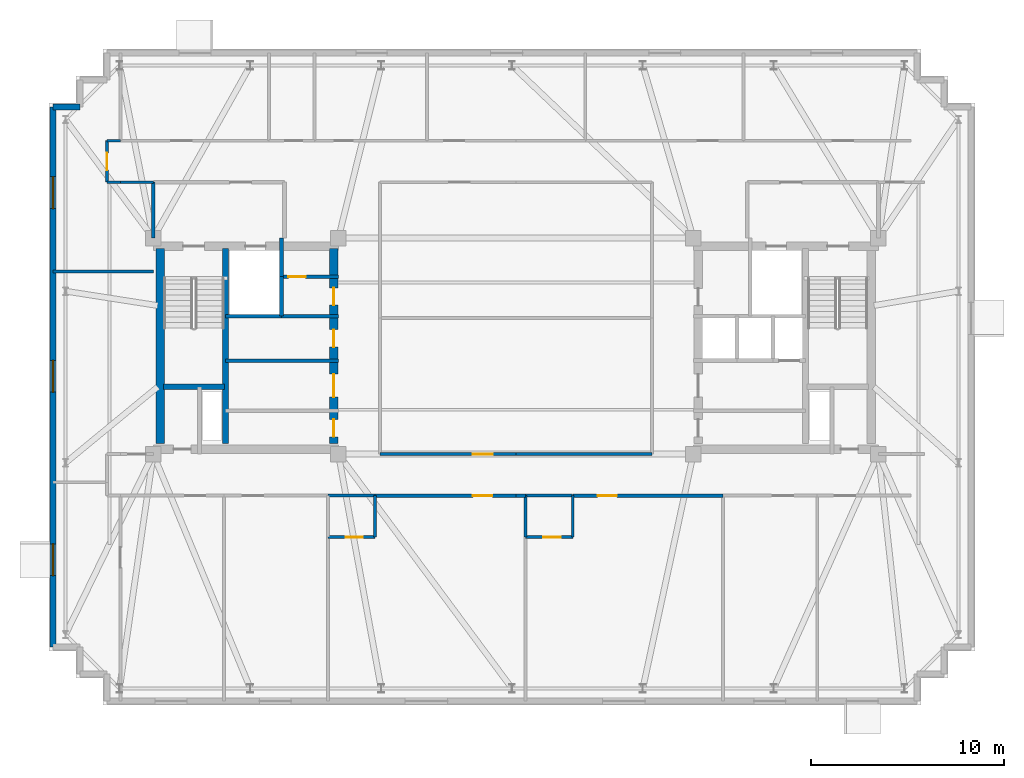
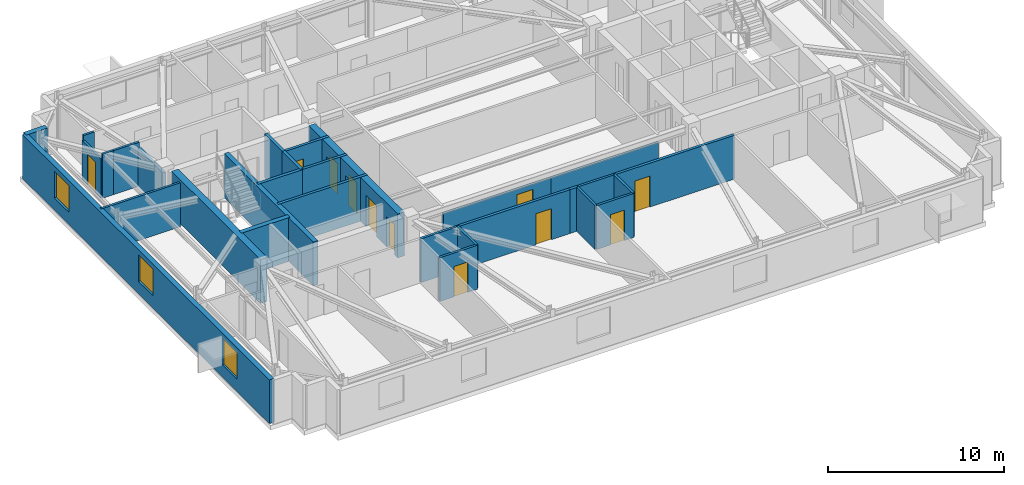
# One storey, part 6 of 11: 30 walls, 11 doors, 3 windows, 14 openings.
"""IFC4 building model written with IfcOpenShell, lengths in metres."""

from ifc_helpers import new_model, si_unit, direction, frame, frame_2d, origin, place, context, subcontext, project, spatial, rectangle, extrude, material, layer, layer_set, type_object, element, fill, save


model = new_model("IFC4")

# Units and contexts
model_context = context("Model", 3, precision=1e-05, world=origin(), true_north=direction((0.0, 1.0)))
body_context = subcontext(model_context, "Body", "Model", "MODEL_VIEW")
ifc_project = project(units=[si_unit("LENGTHUNIT", "METRE"), si_unit("AREAUNIT", "SQUARE_METRE"), si_unit("VOLUMEUNIT", "CUBIC_METRE"), si_unit("PLANEANGLEUNIT", "RADIAN"), si_unit("MASSUNIT", "GRAM", prefix="KILO")], contexts=[model_context])

# Site, building, storey
site_placement = place(None, origin())
site = spatial("IfcSite", under=ifc_project, at=site_placement, CompositionType="ELEMENT")
building_placement = place(site_placement, origin())
building = spatial("IfcBuilding", under=site, at=building_placement, Name="Qobustan Lattice House", CompositionType="ELEMENT")
storey_placement = place(building_placement, frame((0.0, 0.0, 251.75)))
storey = spatial("IfcBuildingStorey", under=building, at=storey_placement, Name="L71", CompositionType="ELEMENT", Elevation=251.75)

# Wall
ifc_material_1 = material(Name="Concrete C50/60", Category="concrete")
ifc_layer_1 = layer(ifc_material_1, 0.43994140625)
ifc_layer_set_1 = layer_set([ifc_layer_1], Name="Concrete C50/60")
wall_type_1 = type_object("IfcWallType", Name="WAL-CORE-440", PredefinedType="SHEAR", material=ifc_layer_set_1)
wall_1_placement = place(storey_placement, frame((-18.429931640625, -5.050048828125, 0.0), z_axis=(0.0, 0.0, 1.0), x_axis=(0.0, 1.0, 0.0)))
element("IfcWall", 1, at=wall_1_placement, inside=storey, type_object=wall_type_1, Name="L71 split-core shear wall CW-W", PredefinedType="SHEAR", context=body_context, shape_type="SweptSolid", body=[
    extrude(rectangle(XDim=10.10009765625, YDim=0.43994140625, at=frame_2d((5.050048828125, 0.0))), origin(), (0.0, 0.0, 1.0), 3.0400390625),
])

# Wall, openings, doors
wall_2_placement = place(storey_placement, frame((-9.449951171875, -5.050048828125, 0.0), z_axis=(0.0, 0.0, 1.0), x_axis=(0.0, 1.0, 0.0)))
wall_2 = element("IfcWall", 2, at=wall_2_placement, inside=storey, type_object=wall_type_1, Name="L71 split-core shear wall CW-E", PredefinedType="SHEAR", context=body_context, shape_type="SweptSolid", body=[
    extrude(rectangle(XDim=10.10009765625, YDim=0.43994140625, at=frame_2d((5.050048828125, 0.0))), origin(), (0.0, 0.0, 1.0), 3.0400390625),
])
opening_1_placement = place(wall_2_placement, frame((7.175048828125, 0.0, 0.0)))
opening_1 = element("IfcOpeningElement", 3, at=opening_1_placement, cuts=wall_2, Name="Opening RD-01", PredefinedType="OPENING", context=body_context, shape_type="SweptSolid", body=[
    extrude(rectangle(XDim=0.89990234375, YDim=2.10009765625, at=frame_2d((0.449951171875, 1.050048828125))), frame((0.0, 0.22998046875, 0.0), z_axis=(0.0, -1.0, 0.0), x_axis=(1.0, 0.0, 0.0)), (0.0, 0.0, 1.0), 0.4599609375),
])
opening_2_placement = place(wall_2_placement, frame((2.39990234375, 0.0, 0.0)))
opening_2 = element("IfcOpeningElement", 4, at=opening_2_placement, cuts=wall_2, Name="Opening FD-01", PredefinedType="OPENING", context=body_context, shape_type="SweptSolid", body=[
    extrude(rectangle(XDim=1.199951171875, YDim=2.14990234375, at=frame_2d((0.60009765625, 1.074951171875))), frame((0.0, 0.22998046875, 0.0), z_axis=(0.0, -1.0, 0.0), x_axis=(1.0, 0.0, 0.0)), (0.0, 0.0, 1.0), 0.4599609375),
])
opening_3_placement = place(wall_2_placement, frame((0.35009765625, 0.0, 0.0)))
opening_3 = element("IfcOpeningElement", 5, at=opening_3_placement, cuts=wall_2, Name="Opening RD-01", PredefinedType="OPENING", context=body_context, shape_type="SweptSolid", body=[
    extrude(rectangle(XDim=0.89990234375, YDim=2.10009765625, at=frame_2d((0.449951171875, 1.050048828125))), frame((0.0, 0.22998046875, 0.0), z_axis=(0.0, -1.0, 0.0), x_axis=(1.0, 0.0, 0.0)), (0.0, 0.0, 1.0), 0.4599609375),
])
opening_4_placement = place(wall_2_placement, frame((5.0, 0.0, 0.0)))
opening_4 = element("IfcOpeningElement", 6, at=opening_4_placement, cuts=wall_2, Name="Opening RD-01", PredefinedType="OPENING", context=body_context, shape_type="SweptSolid", body=[
    extrude(rectangle(XDim=0.89990234375, YDim=2.10009765625, at=frame_2d((0.449951171875, 1.050048828125))), frame((0.0, 0.22998046875, 0.0), z_axis=(0.0, -1.0, 0.0), x_axis=(1.0, 0.0, 0.0)), (0.0, 0.0, 1.0), 0.4599609375),
])
ifc_material_2 = material(Name="Persian walnut timber and steel frame door", Category="steel")
door_type_1 = type_object("IfcDoorType", Name="DOR-LOBBY-FD-1200x2150", OperationType="NOTDEFINED", PredefinedType="DOOR", material=ifc_material_2)
door_1_placement = place(opening_2_placement, origin())
door_1 = element("IfcDoor", 7, at=door_1_placement, inside=storey, type_object=door_type_1, Name="L71 West core foyer fire door", OperationType="SINGLE_SWING_LEFT", OverallHeight=2.14990234375, OverallWidth=1.199951171875, PredefinedType="DOOR", context=body_context, shape_type="SweptSolid", body=[
    extrude(rectangle(XDim=1.199951171875, YDim=2.14990234375, at=frame_2d((0.60009765625, 1.074951171875))), frame((0.0, 0.02490234375, 0.0), z_axis=(0.0, -1.0, 0.0), x_axis=(1.0, 0.0, 0.0)), (0.0, 0.0, 1.0), 0.050048828125),
])
fill(opening_2, door_1)
ifc_material_3 = material(Name="Persian walnut timber and steel frame door", Category="steel")
door_type_2 = type_object("IfcDoorType", Name="DOR-RISER-FD-900x2100", OperationType="NOTDEFINED", PredefinedType="DOOR", material=ifc_material_3)
door_2_placement = place(opening_1_placement, origin())
door_2 = element("IfcDoor", 8, at=door_2_placement, inside=storey, type_object=door_type_2, Name="L71 Core utility lobby fire door", OperationType="SINGLE_SWING_RIGHT", OverallHeight=2.10009765625, OverallWidth=0.89990234375, PredefinedType="DOOR", context=body_context, shape_type="SweptSolid", body=[
    extrude(rectangle(XDim=0.89990234375, YDim=2.10009765625, at=frame_2d((0.449951171875, 1.050048828125))), frame((0.0, 0.02490234375, 0.0), z_axis=(0.0, -1.0, 0.0), x_axis=(1.0, 0.0, 0.0)), (0.0, 0.0, 1.0), 0.050048828125),
])
fill(opening_1, door_2)
door_3_placement = place(opening_3_placement, origin())
door_3 = element("IfcDoor", 9, at=door_3_placement, inside=storey, type_object=door_type_2, Name="L71 Quiet study alcove fire door", OperationType="SINGLE_SWING_RIGHT", OverallHeight=2.10009765625, OverallWidth=0.89990234375, PredefinedType="DOOR", context=body_context, shape_type="SweptSolid", body=[
    extrude(rectangle(XDim=0.89990234375, YDim=2.10009765625, at=frame_2d((0.449951171875, 1.050048828125))), frame((0.0, 0.02490234375, 0.0), z_axis=(0.0, -1.0, 0.0), x_axis=(1.0, 0.0, 0.0)), (0.0, 0.0, 1.0), 0.050048828125),
])
fill(opening_3, door_3)
door_4_placement = place(opening_4_placement, origin())
door_4 = element("IfcDoor", 10, at=door_4_placement, inside=storey, type_object=door_type_2, Name="L71 Resident reading pod fire door", OperationType="SINGLE_SWING_LEFT", OverallHeight=2.10009765625, OverallWidth=0.89990234375, PredefinedType="DOOR", context=body_context, shape_type="SweptSolid", body=[
    extrude(rectangle(XDim=0.89990234375, YDim=2.10009765625, at=frame_2d((0.449951171875, 1.050048828125))), frame((0.0, 0.02490234375, 0.0), z_axis=(0.0, -1.0, 0.0), x_axis=(1.0, 0.0, 0.0)), (0.0, 0.0, 1.0), 0.050048828125),
])
fill(opening_4, door_4)

# Walls
ifc_material_4 = material(Name="Concrete C50/60", Category="concrete")
ifc_layer_2 = layer(ifc_material_4, 0.280029296875)
ifc_layer_set_2 = layer_set([ifc_layer_2], Name="Concrete C50/60")
wall_type_2 = type_object("IfcWallType", Name="WAL-CORE-SPINE-280", PredefinedType="SHEAR", material=ifc_layer_set_2)
wall_3_placement = place(storey_placement, frame((-15.050048828125, -5.050048828125, 0.0), z_axis=(0.0, 0.0, 1.0), x_axis=(0.0, 1.0, 0.0)))
element("IfcWall", 11, at=wall_3_placement, inside=storey, type_object=wall_type_2, Name="L71 split-core shear wall CW-M", PredefinedType="SHEAR", context=body_context, shape_type="SweptSolid", body=[
    extrude(rectangle(XDim=10.10009765625, YDim=0.300048828125, at=frame_2d((5.050048828125, 0.0))), origin(), (0.0, 0.0, 1.0), 3.0400390625),
])
wall_4_placement = place(storey_placement, frame((-18.280029296875, -2.110107421875, 0.0), z_axis=(0.0, 0.0, 1.0), x_axis=(1.0, 0.0, 0.0)))
element("IfcWall", 12, at=wall_4_placement, inside=storey, type_object=wall_type_2, Name="L71 split-core shear wall CW-ST", PredefinedType="SHEAR", context=body_context, shape_type="SweptSolid", body=[
    extrude(rectangle(XDim=3.179931640625, YDim=0.300048828125, at=frame_2d((1.58984375, 0.0))), origin(), (0.0, 0.0, 1.0), 3.0400390625),
])

# Wall, openings, windows
ifc_material_5 = material(Name="Precast concrete C40/50", Category="concrete")
ifc_layer_3 = layer(ifc_material_5, 0.320068359375)
ifc_layer_set_3 = layer_set([ifc_layer_3], Name="Precast concrete C40/50")
wall_type_3 = type_object("IfcWallType", Name="WAL-EXT-STONE-320", PredefinedType="SOLIDWALL", material=ifc_layer_set_3)
wall_5_placement = place(storey_placement, frame((-24.0, -15.60009765625, 0.0), z_axis=(0.0, 0.0, 1.0), x_axis=(0.0, 1.0, 0.0)))
wall_5 = element("IfcWall", 13, at=wall_5_placement, inside=storey, type_object=wall_type_3, Name="L71 exterior limestone-clad wall 5", PredefinedType="SOLIDWALL", context=body_context, shape_type="SweptSolid", body=[
    extrude(rectangle(XDim=28.0, YDim=0.320068359375, at=frame_2d((14.0, 0.0))), origin(), (0.0, 0.0, 1.0), 3.0400390625),
])
opening_5_placement = place(wall_5_placement, frame((3.695068359375, 0.0, 0.85009765625)))
opening_5 = element("IfcOpeningElement", 14, at=opening_5_placement, cuts=wall_5, Name="Opening WN-09", PredefinedType="OPENING", context=body_context, shape_type="SweptSolid", body=[
    extrude(rectangle(XDim=1.64990234375, YDim=1.85009765625, at=frame_2d((0.824951171875, 0.925048828125))), frame((0.0, 0.169921875, 0.0), z_axis=(0.0, -1.0, 0.0), x_axis=(1.0, 0.0, 0.0)), (0.0, 0.0, 1.0), 0.340087890625),
])
opening_6_placement = place(wall_5_placement, frame((13.215087890625, 0.0, 0.85009765625)))
opening_6 = element("IfcOpeningElement", 15, at=opening_6_placement, cuts=wall_5, Name="Opening WN-09", PredefinedType="OPENING", context=body_context, shape_type="SweptSolid", body=[
    extrude(rectangle(XDim=1.64990234375, YDim=1.85009765625, at=frame_2d((0.824951171875, 0.925048828125))), frame((0.0, 0.169921875, 0.0), z_axis=(0.0, -1.0, 0.0), x_axis=(1.0, 0.0, 0.0)), (0.0, 0.0, 1.0), 0.340087890625),
])
opening_7_placement = place(wall_5_placement, frame((22.735107421875, 0.0, 0.85009765625)))
opening_7 = element("IfcOpeningElement", 16, at=opening_7_placement, cuts=wall_5, Name="Opening WN-09", PredefinedType="OPENING", context=body_context, shape_type="SweptSolid", body=[
    extrude(rectangle(XDim=1.64990234375, YDim=1.85009765625, at=frame_2d((0.824951171875, 0.925048828125))), frame((0.0, 0.169921875, 0.0), z_axis=(0.0, -1.0, 0.0), x_axis=(1.0, 0.0, 0.0)), (0.0, 0.0, 1.0), 0.340087890625),
])
ifc_material_6 = material(Name="Double-glazed low-E aluminium window", Category="aluminium")
window_type = type_object("IfcWindowType", Name="WIN-STU-1650x1850", PartitioningType="SINGLE_PANEL", PredefinedType="WINDOW", material=ifc_material_6)
window_1_placement = place(opening_5_placement, origin())
window_1 = element("IfcWindow", 17, at=window_1_placement, inside=storey, type_object=window_type, Name="L71 Focus study room W1 window", OverallHeight=1.85009765625, OverallWidth=1.64990234375, PartitioningType="SINGLE_PANEL", PredefinedType="WINDOW", context=body_context, shape_type="SweptSolid", body=[
    extrude(rectangle(XDim=1.64990234375, YDim=1.85009765625, at=frame_2d((0.824951171875, 0.925048828125))), frame((0.0, 0.030029296875, 0.0), z_axis=(0.0, -1.0, 0.0), x_axis=(1.0, 0.0, 0.0)), (0.0, 0.0, 1.0), 0.06005859375),
])
fill(opening_5, window_1)
window_2_placement = place(opening_6_placement, origin())
window_2 = element("IfcWindow", 18, at=window_2_placement, inside=storey, type_object=window_type, Name="L71 Focus study room W2 window", OverallHeight=1.85009765625, OverallWidth=1.64990234375, PartitioningType="SINGLE_PANEL", PredefinedType="WINDOW", context=body_context, shape_type="SweptSolid", body=[
    extrude(rectangle(XDim=1.64990234375, YDim=1.85009765625, at=frame_2d((0.824951171875, 0.925048828125))), frame((0.0, 0.030029296875, 0.0), z_axis=(0.0, -1.0, 0.0), x_axis=(1.0, 0.0, 0.0)), (0.0, 0.0, 1.0), 0.06005859375),
])
fill(opening_6, window_2)
window_3_placement = place(opening_7_placement, origin())
window_3 = element("IfcWindow", 19, at=window_3_placement, inside=storey, type_object=window_type, Name="L71 Focus study room W3 window", OverallHeight=1.85009765625, OverallWidth=1.64990234375, PartitioningType="SINGLE_PANEL", PredefinedType="WINDOW", context=body_context, shape_type="SweptSolid", body=[
    extrude(rectangle(XDim=1.64990234375, YDim=1.85009765625, at=frame_2d((0.824951171875, 0.925048828125))), frame((0.0, 0.030029296875, 0.0), z_axis=(0.0, -1.0, 0.0), x_axis=(1.0, 0.0, 0.0)), (0.0, 0.0, 1.0), 0.06005859375),
])
fill(opening_7, window_3)

# Wall
wall_6_placement = place(storey_placement, frame((-24.0, 12.39990234375, 0.0), z_axis=(0.0, 0.0, 1.0), x_axis=(1.0, 0.0, 0.0)))
element("IfcWall", 20, at=wall_6_placement, inside=storey, type_object=wall_type_3, Name="L71 exterior limestone-clad wall 6", PredefinedType="SOLIDWALL", context=body_context, shape_type="SweptSolid", body=[
    extrude(rectangle(XDim=1.39990234375, YDim=0.320068359375, at=frame_2d((0.699951171875, 0.0))), origin(), (0.0, 0.0, 1.0), 3.0400390625),
])

# Wall, opening, door
ifc_material_7 = material(Name="Gypsum fireboard acoustic partition", Category="gypsum")
ifc_layer_4 = layer(ifc_material_7, 0.179931640625)
ifc_layer_set_4 = layer_set([ifc_layer_4], Name="Gypsum fireboard acoustic partition")
wall_type_4 = type_object("IfcWallType", Name="WAL-FIRE-180", PredefinedType="PARTITIONING", material=ifc_layer_set_4)
wall_7_placement = place(storey_placement, frame((-9.199951171875, 3.60009765625, 0.0), z_axis=(0.0, 0.0, 1.0), x_axis=(-1.0, 0.0, 0.0)))
wall_7 = element("IfcWall", 21, at=wall_7_placement, inside=storey, type_object=wall_type_4, Name="L71 interior partition 7", PredefinedType="PARTITIONING", context=body_context, shape_type="SweptSolid", body=[
    extrude(rectangle(XDim=2.949951171875, YDim=0.179931640625, at=frame_2d((1.47509765625, 0.0))), origin(), (0.0, 0.0, 1.0), 3.0400390625),
])
opening_8_placement = place(wall_7_placement, frame((1.699951171875, 0.0, 0.0)))
opening_8 = element("IfcOpeningElement", 22, at=opening_8_placement, cuts=wall_7, Name="Opening RD-01", PredefinedType="OPENING", context=body_context, shape_type="SweptSolid", body=[
    extrude(rectangle(XDim=0.89990234375, YDim=2.10009765625, at=frame_2d((0.449951171875, 1.050048828125))), frame((0.0, 0.099853515625, 0.0), z_axis=(0.0, -1.0, 0.0), x_axis=(1.0, 0.0, 0.0)), (0.0, 0.0, 1.0), 0.199951171875),
])
door_5_placement = place(opening_8_placement, origin())
door_5 = element("IfcDoor", 23, at=door_5_placement, inside=storey, type_object=door_type_2, Name="L71 Core utility lobby to Cleaner store door", OperationType="SINGLE_SWING_LEFT", OverallHeight=2.10009765625, OverallWidth=0.89990234375, PredefinedType="DOOR", context=body_context, shape_type="SweptSolid", body=[
    extrude(rectangle(XDim=0.89990234375, YDim=2.10009765625, at=frame_2d((0.449951171875, 1.050048828125))), frame((0.0, 0.02490234375, 0.0), z_axis=(0.0, -1.0, 0.0), x_axis=(1.0, 0.0, 0.0)), (0.0, 0.0, 1.0), 0.050048828125),
])
fill(opening_8, door_5)

# Walls
wall_8_placement = place(storey_placement, frame((-12.14990234375, 1.550048828125, 0.0), z_axis=(0.0, 0.0, 1.0), x_axis=(1.0, 0.0, 0.0)))
element("IfcWall", 24, at=wall_8_placement, inside=storey, type_object=wall_type_4, Name="L71 interior partition 8", PredefinedType="PARTITIONING", context=body_context, shape_type="SweptSolid", body=[
    extrude(rectangle(XDim=2.949951171875, YDim=0.179931640625, at=frame_2d((1.47509765625, 0.0))), origin(), (0.0, 0.0, 1.0), 3.0400390625),
])
wall_9_placement = place(storey_placement, frame((-9.199951171875, -0.75, 0.0), z_axis=(0.0, 0.0, 1.0), x_axis=(-1.0, 0.0, 0.0)))
element("IfcWall", 25, at=wall_9_placement, inside=storey, type_object=wall_type_4, Name="L71 interior partition 11", PredefinedType="PARTITIONING", context=body_context, shape_type="SweptSolid", body=[
    extrude(rectangle(XDim=5.85009765625, YDim=0.179931640625, at=frame_2d((2.925048828125, 0.0))), origin(), (0.0, 0.0, 1.0), 3.0400390625),
])

# Wall, opening, door
wall_10_placement = place(storey_placement, frame((0.0, -7.75, 0.0), z_axis=(0.0, 0.0, 1.0), x_axis=(-1.0, 0.0, 0.0)))
wall_10 = element("IfcWall", 26, at=wall_10_placement, inside=storey, type_object=wall_type_4, Name="L71 interior partition 51", PredefinedType="PARTITIONING", context=body_context, shape_type="SweptSolid", body=[
    extrude(rectangle(XDim=7.300048828125, YDim=0.179931640625, at=frame_2d((3.64990234375, 0.0))), origin(), (0.0, 0.0, 1.0), 3.0400390625),
])
opening_9_placement = place(wall_10_placement, frame((1.222412109375, 0.0, 0.0)))
opening_9 = element("IfcOpeningElement", 27, at=opening_9_placement, cuts=wall_10, Name="Opening FD-02", PredefinedType="OPENING", context=body_context, shape_type="SweptSolid", body=[
    extrude(rectangle(XDim=1.0, YDim=2.14990234375, at=frame_2d((0.5, 1.074951171875))), frame((0.0, 0.099853515625, 0.0), z_axis=(0.0, -1.0, 0.0), x_axis=(1.0, 0.0, 0.0)), (0.0, 0.0, 1.0), 0.199951171875),
])
ifc_material_8 = material(Name="Persian walnut timber and steel frame door", Category="steel")
door_type_3 = type_object("IfcDoorType", Name="DOR-UNIT-FD-1000x2150", OperationType="NOTDEFINED", PredefinedType="DOOR", material=ifc_material_8)
door_6_placement = place(opening_9_placement, origin())
door_6 = element("IfcDoor", 28, at=door_6_placement, inside=storey, type_object=door_type_3, Name="L71 South-west floor corridor to Kitchenette and studio apartment L71-S2 door", OperationType="SINGLE_SWING_RIGHT", OverallHeight=2.14990234375, OverallWidth=1.0, PredefinedType="DOOR", context=body_context, shape_type="SweptSolid", body=[
    extrude(rectangle(XDim=1.0, YDim=2.14990234375, at=frame_2d((0.5, 1.074951171875))), frame((0.0, 0.02490234375, 0.0), z_axis=(0.0, -1.0, 0.0), x_axis=(1.0, 0.0, 0.0)), (0.0, 0.0, 1.0), 0.050048828125),
])
fill(opening_9, door_6)

# Wall
wall_11_placement = place(storey_placement, frame((0.5, -7.75, 0.0), z_axis=(0.0, 0.0, 1.0), x_axis=(-1.0, 0.0, 0.0)))
element("IfcWall", 29, at=wall_11_placement, inside=storey, type_object=wall_type_4, Name="L71 interior partition 56", PredefinedType="PARTITIONING", context=body_context, shape_type="SweptSolid", body=[
    extrude(rectangle(XDim=0.5, YDim=0.179931640625, at=frame_2d((0.25, 0.0))), origin(), (0.0, 0.0, 1.0), 3.0400390625),
])

# Wall, opening, door
wall_12_placement = place(storey_placement, frame((10.75, -7.75, 0.0), z_axis=(0.0, 0.0, 1.0), x_axis=(-1.0, 0.0, 0.0)))
wall_12 = element("IfcWall", 30, at=wall_12_placement, inside=storey, type_object=wall_type_4, Name="L71 interior partition 57", PredefinedType="PARTITIONING", context=body_context, shape_type="SweptSolid", body=[
    extrude(rectangle(XDim=7.800048828125, YDim=0.179931640625, at=frame_2d((3.89990234375, 0.0))), origin(), (0.0, 0.0, 1.0), 3.0400390625),
])
opening_10_placement = place(wall_12_placement, frame((5.514892578125, 0.0, 0.0)))
opening_10 = element("IfcOpeningElement", 31, at=opening_10_placement, cuts=wall_12, Name="Opening FD-02", PredefinedType="OPENING", context=body_context, shape_type="SweptSolid", body=[
    extrude(rectangle(XDim=1.0, YDim=2.14990234375, at=frame_2d((0.5, 1.074951171875))), frame((0.0, 0.099853515625, 0.0), z_axis=(0.0, -1.0, 0.0), x_axis=(1.0, 0.0, 0.0)), (0.0, 0.0, 1.0), 0.199951171875),
])
door_7_placement = place(opening_10_placement, origin())
door_7 = element("IfcDoor", 32, at=door_7_placement, inside=storey, type_object=door_type_3, Name="L71 South-east floor corridor to Kitchenette and studio apartment L71-S3 door", OperationType="SINGLE_SWING_RIGHT", OverallHeight=2.14990234375, OverallWidth=1.0, PredefinedType="DOOR", context=body_context, shape_type="SweptSolid", body=[
    extrude(rectangle(XDim=1.0, YDim=2.14990234375, at=frame_2d((0.5, 1.074951171875))), frame((0.0, 0.02490234375, 0.0), z_axis=(0.0, -1.0, 0.0), x_axis=(1.0, 0.0, 0.0)), (0.0, 0.0, 1.0), 0.050048828125),
])
fill(opening_10, door_7)

ifc_material_9 = material(Name="Acoustic twin-stud gypsum partition", Category="gypsum")
ifc_layer_5 = layer(ifc_material_9, 0.14990234375)
ifc_layer_set_5 = layer_set([ifc_layer_5], Name="Acoustic twin-stud gypsum partition")
wall_type_5 = type_object("IfcWallType", Name="WAL-PART-150", PredefinedType="PARTITIONING", material=ifc_layer_set_5)
wall_13_placement = place(storey_placement, frame((-21.199951171875, 8.5, 0.0), z_axis=(0.0, 0.0, 1.0), x_axis=(0.0, 1.0, 0.0)))
wall_13 = element("IfcWall", 33, at=wall_13_placement, inside=storey, type_object=wall_type_5, Name="L71 interior partition 29", PredefinedType="PARTITIONING", context=body_context, shape_type="SweptSolid", body=[
    extrude(rectangle(XDim=2.14990234375, YDim=0.14990234375, at=frame_2d((1.074951171875, 0.0))), origin(), (0.0, 0.0, 1.0), 2.695068359375),
])
opening_11_placement = place(wall_13_placement, frame((0.625, 0.0, 0.0)))
opening_11 = element("IfcOpeningElement", 34, at=opening_11_placement, cuts=wall_13, Name="Opening WD-01", PredefinedType="OPENING", context=body_context, shape_type="SweptSolid", body=[
    extrude(rectangle(XDim=0.89990234375, YDim=2.10009765625, at=frame_2d((0.449951171875, 1.050048828125))), frame((0.0, 0.0849609375, 0.0), z_axis=(0.0, -1.0, 0.0), x_axis=(1.0, 0.0, 0.0)), (0.0, 0.0, 1.0), 0.169921875),
])
ifc_material_10 = material(Name="Persian walnut timber and steel frame door", Category="steel")
door_type_4 = type_object("IfcDoorType", Name="DOR-WET-900x2100", OperationType="NOTDEFINED", PredefinedType="DOOR", material=ifc_material_10)
door_8_placement = place(opening_11_placement, origin())
door_8 = element("IfcDoor", 35, at=door_8_placement, inside=storey, type_object=door_type_4, Name="L71 North-west floor corridor to Focus study room W3 door", OperationType="SINGLE_SWING_RIGHT", OverallHeight=2.10009765625, OverallWidth=0.89990234375, PredefinedType="DOOR", context=body_context, shape_type="SweptSolid", body=[
    extrude(rectangle(XDim=0.89990234375, YDim=2.10009765625, at=frame_2d((0.449951171875, 1.050048828125))), frame((0.0, 0.02490234375, 0.0), z_axis=(0.0, -1.0, 0.0), x_axis=(1.0, 0.0, 0.0)), (0.0, 0.0, 1.0), 0.050048828125),
])
fill(opening_11, door_8)

# Walls
wall_14_placement = place(storey_placement, frame((-18.800048828125, 8.5, 0.0), z_axis=(0.0, 0.0, 1.0), x_axis=(-1.0, 0.0, 0.0)))
element("IfcWall", 36, at=wall_14_placement, inside=storey, type_object=wall_type_5, Name="L71 interior partition 30", PredefinedType="PARTITIONING", context=body_context, shape_type="SweptSolid", body=[
    extrude(rectangle(XDim=1.699951171875, YDim=0.14990234375, at=frame_2d((0.85009765625, 0.0))), origin(), (0.0, 0.0, 1.0), 3.0400390625),
])
for number, where, z_axis, x_axis, name in (
    (37, (-20.5, 8.5, 0.0), (0.0, 0.0, 1.0), (-1.0, 0.0, 0.0), "L71 interior partition 31"),
    (38, (-21.199951171875, 10.64990234375, 0.0), (0.0, 0.0, 1.0), (1.0, 0.0, 0.0), "L71 interior partition 32"),
):
    element("IfcWall", number, at=place(storey_placement, frame(where, z_axis=z_axis, x_axis=x_axis)), inside=storey, type_object=wall_type_5, Name=name, PredefinedType="PARTITIONING", context=body_context, shape_type="SweptSolid", body=[
        extrude(rectangle(XDim=0.699951171875, YDim=0.14990234375, at=frame_2d((0.35009765625, 0.0))), origin(), (0.0, 0.0, 1.0), 3.0400390625),
    ])

# Wall, opening, door
wall_15_placement = place(storey_placement, frame((-7.050048828125, -5.60009765625, 0.0), z_axis=(0.0, 0.0, 1.0), x_axis=(1.0, 0.0, 0.0)))
wall_15 = element("IfcWall", 39, at=wall_15_placement, inside=storey, type_object=wall_type_5, Name="L71 interior partition 53", PredefinedType="PARTITIONING", context=body_context, shape_type="SweptSolid", body=[
    extrude(rectangle(XDim=7.050048828125, YDim=0.14990234375, at=frame_2d((3.52490234375, 0.0))), origin(), (0.0, 0.0, 1.0), 2.52490234375),
])
opening_12_placement = place(wall_15_placement, frame((4.81494140625, 0.0, 0.0)))
opening_12 = element("IfcOpeningElement", 40, at=opening_12_placement, cuts=wall_15, Name="Opening ID-02", PredefinedType="OPENING", context=body_context, shape_type="SweptSolid", body=[
    extrude(rectangle(XDim=1.050048828125, YDim=2.14990234375, at=frame_2d((0.52490234375, 1.074951171875))), frame((0.0, 0.0849609375, 0.0), z_axis=(0.0, -1.0, 0.0), x_axis=(1.0, 0.0, 0.0)), (0.0, 0.0, 1.0), 0.169921875),
])
ifc_material_11 = material(Name="Persian walnut timber and steel frame door", Category="steel")
door_type_5 = type_object("IfcDoorType", Name="DOR-STUDY-1050x2150", OperationType="NOTDEFINED", PredefinedType="DOOR", material=ifc_material_11)
door_9_placement = place(opening_12_placement, origin())
door_9 = element("IfcDoor", 41, at=door_9_placement, inside=storey, type_object=door_type_5, Name="L71 South-west floor corridor to Academic seminar room door", OperationType="SINGLE_SWING_LEFT", OverallHeight=2.14990234375, OverallWidth=1.050048828125, PredefinedType="DOOR", context=body_context, shape_type="SweptSolid", body=[
    extrude(rectangle(XDim=1.050048828125, YDim=2.14990234375, at=frame_2d((0.52490234375, 1.074951171875))), frame((0.0, 0.02490234375, 0.0), z_axis=(0.0, -1.0, 0.0), x_axis=(1.0, 0.0, 0.0)), (0.0, 0.0, 1.0), 0.050048828125),
])
fill(opening_12, door_9)

# Walls
wall_16_placement = place(storey_placement, frame((0.0, -5.60009765625, 0.0), z_axis=(0.0, 0.0, 1.0), x_axis=(1.0, 0.0, 0.0)))
element("IfcWall", 42, at=wall_16_placement, inside=storey, type_object=wall_type_5, Name="L71 interior partition 61", PredefinedType="PARTITIONING", context=body_context, shape_type="SweptSolid", body=[
    extrude(rectangle(XDim=7.050048828125, YDim=0.14990234375, at=frame_2d((3.52490234375, 0.0))), origin(), (0.0, 0.0, 1.0), 2.52490234375),
])
wall_17_placement = place(storey_placement, frame((-24.0, 3.860107421875, 0.0), z_axis=(0.0, 0.0, 1.0), x_axis=(1.0, 0.0, 0.0)))
element("IfcWall", 43, at=wall_17_placement, inside=storey, type_object=wall_type_5, Name="L71 interior partition 68", PredefinedType="PARTITIONING", context=body_context, shape_type="SweptSolid", body=[
    extrude(rectangle(XDim=5.199951171875, YDim=0.14990234375, at=frame_2d((2.60009765625, 0.0))), origin(), (0.0, 0.0, 1.0), 3.0400390625),
])
ifc_material_12 = material(Name="Two-hour gypsum fireboard acoustic partition", Category="gypsum")
ifc_layer_6 = layer(ifc_material_12, 0.199951171875)
ifc_layer_set_6 = layer_set([ifc_layer_6], Name="Two-hour gypsum fireboard acoustic partition")
wall_type_6 = type_object("IfcWallType", Name="WAL-PROT-200", PredefinedType="PARTITIONING", material=ifc_layer_set_6)
wall_18_placement = place(storey_placement, frame((-18.800048828125, 8.5, 0.0), z_axis=(0.0, 0.0, 1.0), x_axis=(0.0, -1.0, 0.0)))
element("IfcWall", 44, at=wall_18_placement, inside=storey, type_object=wall_type_6, Name="L71 interior partition 6", PredefinedType="PARTITIONING", context=body_context, shape_type="SweptSolid", body=[
    extrude(rectangle(XDim=2.89990234375, YDim=0.199951171875, at=frame_2d((1.449951171875, 0.0))), origin(), (0.0, 0.0, 1.0), 2.6650390625),
])
ifc_material_13 = material(Name="Concrete C40/50", Category="concrete")
ifc_layer_7 = layer(ifc_material_13, 0.199951171875)
ifc_layer_set_7 = layer_set([ifc_layer_7], Name="Concrete C40/50")
wall_type_7 = type_object("IfcWallType", Name="WAL-SHAFT-200", PredefinedType="PARTITIONING", material=ifc_layer_set_7)
wall_19_placement = place(storey_placement, frame((-12.14990234375, 1.550048828125, 0.0), z_axis=(0.0, 0.0, 1.0), x_axis=(0.0, 1.0, 0.0)))
element("IfcWall", 45, at=wall_19_placement, inside=storey, type_object=wall_type_7, Name="L71 interior partition 2", PredefinedType="PARTITIONING", context=body_context, shape_type="SweptSolid", body=[
    extrude(rectangle(XDim=2.050048828125, YDim=0.199951171875, at=frame_2d((1.02490234375, 0.0))), origin(), (0.0, 0.0, 1.0), 3.0400390625),
])
wall_20_placement = place(storey_placement, frame((-12.14990234375, 3.60009765625, 0.0), z_axis=(0.0, 0.0, 1.0), x_axis=(0.0, 1.0, 0.0)))
element("IfcWall", 46, at=wall_20_placement, inside=storey, type_object=wall_type_7, Name="L71 interior partition 3", PredefinedType="PARTITIONING", context=body_context, shape_type="SweptSolid", body=[
    extrude(rectangle(XDim=2.0, YDim=0.199951171875, at=frame_2d((1.0, 0.0))), origin(), (0.0, 0.0, 1.0), 3.0400390625),
])
wall_21_placement = place(storey_placement, frame((-15.050048828125, 1.550048828125, 0.0), z_axis=(0.0, 0.0, 1.0), x_axis=(1.0, 0.0, 0.0)))
element("IfcWall", 47, at=wall_21_placement, inside=storey, type_object=wall_type_7, Name="L71 interior partition 87", PredefinedType="PARTITIONING", context=body_context, shape_type="SweptSolid", body=[
    extrude(rectangle(XDim=2.900146484375, YDim=0.199951171875, at=frame_2d((1.4501953125, 0.0))), origin(), (0.0, 0.0, 1.0), 3.0400390625),
])
ifc_material_14 = material(Name="Moisture-resistant acoustic plumbing wall", Category="gypsum")
ifc_layer_8 = layer(ifc_material_14, 0.14990234375)
ifc_layer_set_8 = layer_set([ifc_layer_8], Name="Moisture-resistant acoustic plumbing wall")
wall_type_8 = type_object("IfcWallType", Name="WAL-WET-150", PredefinedType="PLUMBINGWALL", material=ifc_layer_set_8)
for number, where, z_axis, x_axis, name in (
    (48, (-7.300048828125, -7.75, 0.0), (0.0, 0.0, 1.0), (-1.0, 0.0, 0.0), "L71 interior partition 52"),
    (49, (2.949951171875, -7.75, 0.0), (0.0, 0.0, 1.0), (-1.0, 0.0, 0.0), "L71 interior partition 58"),
):
    element("IfcWall", number, at=place(storey_placement, frame(where, z_axis=z_axis, x_axis=x_axis)), inside=storey, type_object=wall_type_8, Name=name, PredefinedType="PLUMBINGWALL", context=body_context, shape_type="SweptSolid", body=[
        extrude(rectangle(XDim=2.449951171875, YDim=0.14990234375, at=frame_2d((1.22509765625, 0.0))), origin(), (0.0, 0.0, 1.0), 3.0400390625),
    ])

# Wall, opening, door
wall_22_placement = place(storey_placement, frame((-9.75, -9.89990234375, 0.0), z_axis=(0.0, 0.0, 1.0), x_axis=(1.0, 0.0, 0.0)))
wall_22 = element("IfcWall", 50, at=wall_22_placement, inside=storey, type_object=wall_type_8, Name="L71 interior partition 78", PredefinedType="PLUMBINGWALL", context=body_context, shape_type="SweptSolid", body=[
    extrude(rectangle(XDim=2.449951171875, YDim=0.14990234375, at=frame_2d((1.22509765625, 0.0))), origin(), (0.0, 0.0, 1.0), 3.0400390625),
])
opening_13_placement = place(wall_22_placement, frame((0.92138671875, 0.0, 0.0)))
opening_13 = element("IfcOpeningElement", 51, at=opening_13_placement, cuts=wall_22, Name="Opening WD-01", PredefinedType="OPENING", context=body_context, shape_type="SweptSolid", body=[
    extrude(rectangle(XDim=0.89990234375, YDim=2.10009765625, at=frame_2d((0.449951171875, 1.050048828125))), frame((0.0, 0.0849609375, 0.0), z_axis=(0.0, -1.0, 0.0), x_axis=(1.0, 0.0, 0.0)), (0.0, 0.0, 1.0), 0.169921875),
])
door_10_placement = place(opening_13_placement, origin())
door_10 = element("IfcDoor", 52, at=door_10_placement, inside=storey, type_object=door_type_4, Name="L71 Kitchenette and studio apartment L71-S2 to En-suite bathroom L71-S2 door", OperationType="SINGLE_SWING_RIGHT", OverallHeight=2.10009765625, OverallWidth=0.89990234375, PredefinedType="DOOR", context=body_context, shape_type="SweptSolid", body=[
    extrude(rectangle(XDim=0.89990234375, YDim=2.10009765625, at=frame_2d((0.449951171875, 1.050048828125))), frame((0.0, 0.02490234375, 0.0), z_axis=(0.0, -1.0, 0.0), x_axis=(1.0, 0.0, 0.0)), (0.0, 0.0, 1.0), 0.050048828125),
])
fill(opening_13, door_10)

# Walls
for number, where, z_axis, x_axis, name in (
    (53, (-7.300048828125, -9.89990234375, 0.0), (0.0, 0.0, 1.0), (0.0, 1.0, 0.0), "L71 interior partition 79"),
    (54, (0.5, -7.75, 0.0), (0.0, 0.0, 1.0), (0.0, -1.0, 0.0), "L71 interior partition 81"),
):
    element("IfcWall", number, at=place(storey_placement, frame(where, z_axis=z_axis, x_axis=x_axis)), inside=storey, type_object=wall_type_8, Name=name, PredefinedType="PLUMBINGWALL", context=body_context, shape_type="SweptSolid", body=[
        extrude(rectangle(XDim=2.14990234375, YDim=0.14990234375, at=frame_2d((1.074951171875, 0.0))), origin(), (0.0, 0.0, 1.0), 3.0400390625),
    ])

# Wall, opening, door
wall_23_placement = place(storey_placement, frame((0.5, -9.89990234375, 0.0), z_axis=(0.0, 0.0, 1.0), x_axis=(1.0, 0.0, 0.0)))
wall_23 = element("IfcWall", 55, at=wall_23_placement, inside=storey, type_object=wall_type_8, Name="L71 interior partition 82", PredefinedType="PLUMBINGWALL", context=body_context, shape_type="SweptSolid", body=[
    extrude(rectangle(XDim=2.449951171875, YDim=0.14990234375, at=frame_2d((1.22509765625, 0.0))), origin(), (0.0, 0.0, 1.0), 3.0400390625),
])
opening_14_placement = place(wall_23_placement, frame((0.92138671875, 0.0, 0.0)))
opening_14 = element("IfcOpeningElement", 56, at=opening_14_placement, cuts=wall_23, Name="Opening WD-01", PredefinedType="OPENING", context=body_context, shape_type="SweptSolid", body=[
    extrude(rectangle(XDim=0.89990234375, YDim=2.10009765625, at=frame_2d((0.449951171875, 1.050048828125))), frame((0.0, 0.0849609375, 0.0), z_axis=(0.0, -1.0, 0.0), x_axis=(1.0, 0.0, 0.0)), (0.0, 0.0, 1.0), 0.169921875),
])
door_11_placement = place(opening_14_placement, origin())
door_11 = element("IfcDoor", 57, at=door_11_placement, inside=storey, type_object=door_type_4, Name="L71 Kitchenette and studio apartment L71-S3 to En-suite bathroom L71-S3 door", OperationType="SINGLE_SWING_LEFT", OverallHeight=2.10009765625, OverallWidth=0.89990234375, PredefinedType="DOOR", context=body_context, shape_type="SweptSolid", body=[
    extrude(rectangle(XDim=0.89990234375, YDim=2.10009765625, at=frame_2d((0.449951171875, 1.050048828125))), frame((0.0, 0.02490234375, 0.0), z_axis=(0.0, -1.0, 0.0), x_axis=(1.0, 0.0, 0.0)), (0.0, 0.0, 1.0), 0.050048828125),
])
fill(opening_14, door_11)

# Wall
wall_24_placement = place(storey_placement, frame((2.949951171875, -9.89990234375, 0.0), z_axis=(0.0, 0.0, 1.0), x_axis=(0.0, 1.0, 0.0)))
element("IfcWall", 58, at=wall_24_placement, inside=storey, type_object=wall_type_8, Name="L71 interior partition 83", PredefinedType="PLUMBINGWALL", context=body_context, shape_type="SweptSolid", body=[
    extrude(rectangle(XDim=2.14990234375, YDim=0.14990234375, at=frame_2d((1.074951171875, 0.0))), origin(), (0.0, 0.0, 1.0), 3.0400390625),
])

save(model, "model.ifc")
